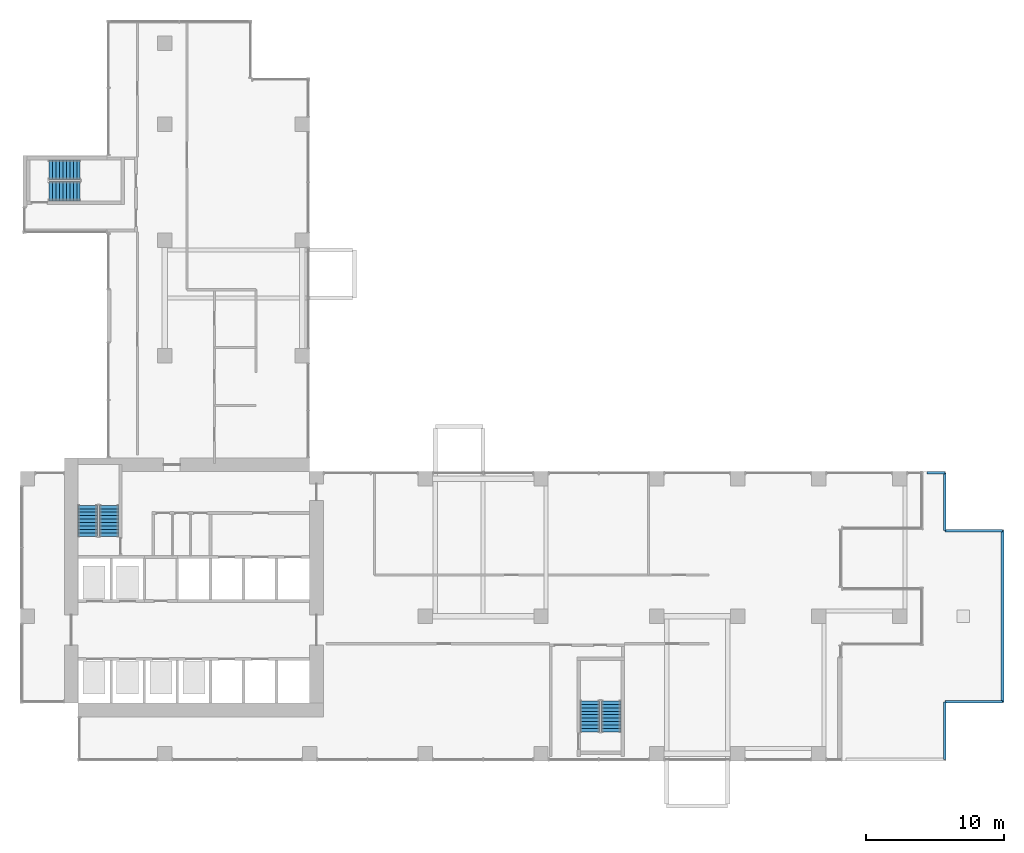
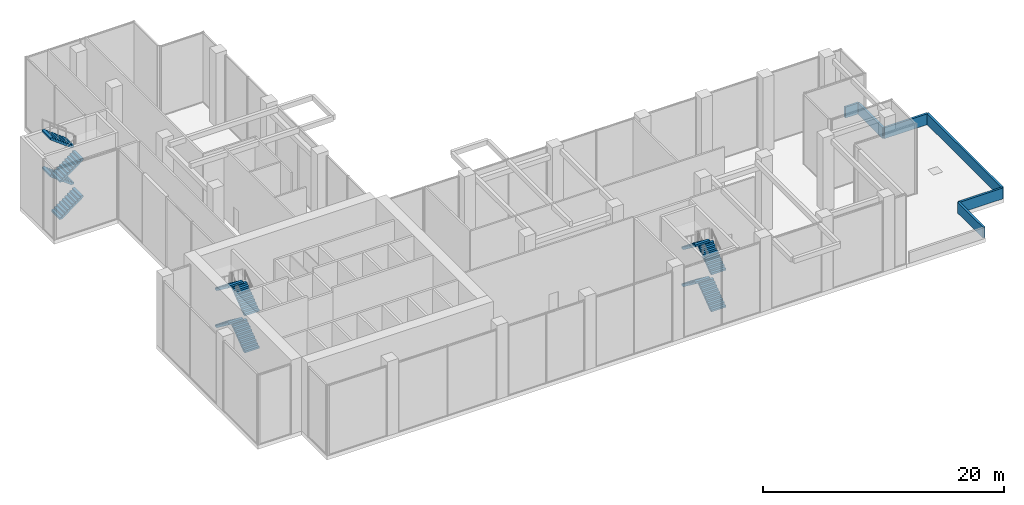
# One storey, part 14 of 18: 12 stair flights, 6 walls, 3 elements without a shape of their own.
"""IFC4 building model written with IfcOpenShell, lengths in metres."""

from ifc_helpers import new_model, si_unit, direction, frame, frame_2d, origin, place, context, subcontext, project, spatial, polyline, rectangle, outline, extrude, source, transform, mapped, material, layer, layer_set, type_object, element, aggregate, save


model = new_model("IFC4")

# Units and contexts
model_context = context("Model", 3, precision=1e-05, world=origin(), true_north=direction((0.0, 1.0)))
body_context = subcontext(model_context, "Body", "Model", "MODEL_VIEW")
ifc_project = project(units=[si_unit("LENGTHUNIT", "METRE"), si_unit("AREAUNIT", "SQUARE_METRE"), si_unit("VOLUMEUNIT", "CUBIC_METRE"), si_unit("PLANEANGLEUNIT", "RADIAN"), si_unit("MASSUNIT", "GRAM", prefix="KILO")], contexts=[model_context])

# Site, building, storey
site_placement = place(None, origin())
site = spatial("IfcSite", under=ifc_project, at=site_placement, CompositionType="ELEMENT")
building_placement = place(site_placement, origin())
building = spatial("IfcBuilding", under=site, at=building_placement, Name="Aurelian Terraces", CompositionType="ELEMENT")
storey_placement = place(building_placement, frame((0.0, 0.0, 170.3)))
storey = spatial("IfcBuildingStorey", under=building, at=storey_placement, Name="L37", CompositionType="ELEMENT", Elevation=170.3)

# Walls
ifc_material_1 = material(Name="Terracotta rainscreen cladding", Category="masonry")
ifc_layer = layer(ifc_material_1, 0.2)
ifc_layer_set = layer_set([ifc_layer], Name="PARAPET-200")
wall_type = type_object("IfcWallType", Name="PARAPET-200", PredefinedType="PARAPET", material=ifc_layer_set)
wall_1_placement = place(storey_placement, frame((71.31, 16.71, 0.0), z_axis=(0.0, 0.0, 1.0), x_axis=(0.0, -1.0, 0.0)))
element("IfcWall", 1, at=wall_1_placement, inside=storey, type_object=wall_type, Name="Parapet L37 L37-X1", PredefinedType="PARAPET", context=body_context, shape_type="SweptSolid", body=[
    extrude(rectangle(XDim=12.42, YDim=0.2, at=frame_2d((6.21, 0.0))), origin(), (0.0, 0.0, 1.0), 1.1),
])
shared_shape_1 = source(origin(), body_context, "Body", "SweptSolid", [
    extrude(rectangle(XDim=4.2, YDim=0.2, at=frame_2d((2.1, 0.0))), origin(), (0.0, 0.0, 1.0), 1.1),
])
for number, where, z_axis, x_axis, name in (
    (2, (67.11, 20.91, 0.0), (0.0, 0.0, 1.0), (0.0, -1.0, 0.0), "Parapet L37 L37-X1"),
    (3, (67.11, 16.71, 0.0), (0.0, 0.0, 1.0), (1.0, 0.0, 0.0), "Parapet L37 L37-X1"),
    (4, (71.31, 4.29, 0.0), (0.0, 0.0, 1.0), (-1.0, 0.0, 0.0), "Parapet L37 L37-X1"),
    (5, (67.11, 4.29, 0.0), (0.0, 0.0, 1.0), (0.0, -1.0, 0.0), "Parapet L37 L37-X1"),
):
    element("IfcWall", number, at=place(storey_placement, frame(where, z_axis=z_axis, x_axis=x_axis)), inside=storey, type_object=wall_type, Name=name, PredefinedType="PARAPET", context=body_context, shape_type="MappedRepresentation", body=[
        mapped(shared_shape_1, transform((0.0, 0.0, 0.0), scale=1.0)),
    ])
shared_shape_2 = source(origin(), body_context, "Body", "SweptSolid", [
    extrude(rectangle(XDim=1.29, YDim=0.2, at=frame_2d((0.645, 0.0))), origin(), (0.0, 0.0, 1.0), 1.1),
])
wall_2_placement = place(storey_placement, frame((65.82, 20.91, 0.0), z_axis=(0.0, 0.0, 1.0), x_axis=(1.0, 0.0, 0.0)))
element("IfcWall", 6, at=wall_2_placement, inside=storey, type_object=wall_type, Name="Parapet L37 L37-X1", PredefinedType="PARAPET", context=body_context, shape_type="MappedRepresentation", body=[
    mapped(shared_shape_2, transform((0.0, 0.0, 0.0), scale=1.0)),
])

# Stair, stair flights
ifc_material_2 = material(Name="Concrete fc' 40 MPa", Category="concrete")
stair_type = type_object("IfcStairType", Name="Stair 1400", PredefinedType="HALF_TURN_STAIR", material=ifc_material_2)
stair_1_placement = place(storey_placement, origin())
stair_1 = element("IfcStair", 7, at=stair_1_placement, inside=storey, type_object=stair_type, Name="L37 S1", PredefinedType="HALF_TURN_STAIR")
stair_flight_type = type_object("IfcStairFlightType", Name="Stair flight 1400", PredefinedType="STRAIGHT", material=ifc_material_2)
shared_shape_3 = source(origin(), body_context, "Body", "SweptSolid", [
    extrude(outline(polyline([(0.0, 0.0), (0.0, 0.1875), (0.25, 0.1875), (0.25, 0.375), (0.5, 0.375), (0.5, 0.5625), (0.75, 0.5625), (0.75, 0.75), (1.0, 0.75), (1.0, 0.9375), (1.25, 0.9375), (1.25, 1.125), (1.5, 1.125), (1.5, 1.3125), (1.75, 1.3125), (1.75, 1.5), (2.0, 1.5), (2.0, 1.6875), (2.25, 1.6875), (2.25, 1.875), (2.25, 1.5), (0.25, 0.0), (0.0, 0.0)])), frame((0.0, 0.7, 0.0), z_axis=(0.0, -1.0, 0.0), x_axis=(1.0, 0.0, 0.0)), (0.0, 0.0, 1.0), 1.4),
])
stair_flight_1_placement = place(storey_placement, frame((6.45, 16.3, 2e-08), z_axis=(0.0, 0.0, 1.0), x_axis=(0.0, 1.0, 0.0)))
stair_flight_1 = element("IfcStairFlight", 8, at=stair_flight_1_placement, type_object=stair_flight_type, Name="S1 flight 1", NumberOfRisers=10, NumberOfTreads=9, PredefinedType="STRAIGHT", RiserHeight=0.1875, TreadLength=0.25, context=body_context, shape_type="MappedRepresentation", body=[
    mapped(shared_shape_3, transform((0.0, 0.0, 0.0), scale=1.0)),
])
stair_flight_2_placement = place(storey_placement, frame((4.9, 18.55, 1.87500002), z_axis=(0.0, 0.0, 1.0), x_axis=(0.0, -1.0, 0.0)))
stair_flight_2 = element("IfcStairFlight", 9, at=stair_flight_2_placement, type_object=stair_flight_type, Name="S1 flight 2", NumberOfRisers=10, NumberOfTreads=9, PredefinedType="STRAIGHT", RiserHeight=0.1875, TreadLength=0.25, context=body_context, shape_type="MappedRepresentation", body=[
    mapped(shared_shape_3, transform((0.0, 0.0, 0.0), scale=1.0)),
])
stair_flight_3_placement = place(storey_placement, frame((6.45, 16.3, 3.75000002), z_axis=(0.0, 0.0, 1.0), x_axis=(0.0, 1.0, 0.0)))
stair_flight_3 = element("IfcStairFlight", 10, at=stair_flight_3_placement, type_object=stair_flight_type, Name="S1 flight 3", NumberOfRisers=10, NumberOfTreads=9, PredefinedType="STRAIGHT", RiserHeight=0.1875, TreadLength=0.25, context=body_context, shape_type="MappedRepresentation", body=[
    mapped(shared_shape_3, transform((0.0, 0.0, 0.0), scale=1.0)),
])
stair_flight_4_placement = place(storey_placement, frame((4.9, 18.55, 5.62500002), z_axis=(0.0, 0.0, 1.0), x_axis=(0.0, -1.0, 0.0)))
stair_flight_4 = element("IfcStairFlight", 11, at=stair_flight_4_placement, type_object=stair_flight_type, Name="S1 flight 4", NumberOfRisers=10, NumberOfTreads=9, PredefinedType="STRAIGHT", RiserHeight=0.1875, TreadLength=0.25, context=body_context, shape_type="MappedRepresentation", body=[
    mapped(shared_shape_3, transform((0.0, 0.0, 0.0), scale=1.0)),
])
aggregate(stair_1, [stair_flight_1, stair_flight_2, stair_flight_3, stair_flight_4])

stair_2_placement = place(storey_placement, origin())
stair_2 = element("IfcStair", 12, at=stair_2_placement, inside=storey, type_object=stair_type, Name="L37 S2", PredefinedType="HALF_TURN_STAIR")
stair_flight_5_placement = place(storey_placement, frame((42.9, 2.1, 2e-08), z_axis=(0.0, 0.0, 1.0), x_axis=(0.0, 1.0, 0.0)))
stair_flight_5 = element("IfcStairFlight", 13, at=stair_flight_5_placement, type_object=stair_flight_type, Name="S2 flight 1", NumberOfRisers=10, NumberOfTreads=9, PredefinedType="STRAIGHT", RiserHeight=0.1875, TreadLength=0.25, context=body_context, shape_type="MappedRepresentation", body=[
    mapped(shared_shape_3, transform((0.0, 0.0, 0.0), scale=1.0)),
])
stair_flight_6_placement = place(storey_placement, frame((41.35, 4.35, 1.87500002), z_axis=(0.0, 0.0, 1.0), x_axis=(0.0, -1.0, 0.0)))
stair_flight_6 = element("IfcStairFlight", 14, at=stair_flight_6_placement, type_object=stair_flight_type, Name="S2 flight 2", NumberOfRisers=10, NumberOfTreads=9, PredefinedType="STRAIGHT", RiserHeight=0.1875, TreadLength=0.25, context=body_context, shape_type="MappedRepresentation", body=[
    mapped(shared_shape_3, transform((0.0, 0.0, 0.0), scale=1.0)),
])
stair_flight_7_placement = place(storey_placement, frame((42.9, 2.1, 3.75000002), z_axis=(0.0, 0.0, 1.0), x_axis=(0.0, 1.0, 0.0)))
stair_flight_7 = element("IfcStairFlight", 15, at=stair_flight_7_placement, type_object=stair_flight_type, Name="S2 flight 3", NumberOfRisers=10, NumberOfTreads=9, PredefinedType="STRAIGHT", RiserHeight=0.1875, TreadLength=0.25, context=body_context, shape_type="MappedRepresentation", body=[
    mapped(shared_shape_3, transform((0.0, 0.0, 0.0), scale=1.0)),
])
stair_flight_8_placement = place(storey_placement, frame((41.35, 4.35, 5.62500002), z_axis=(0.0, 0.0, 1.0), x_axis=(0.0, -1.0, 0.0)))
stair_flight_8 = element("IfcStairFlight", 16, at=stair_flight_8_placement, type_object=stair_flight_type, Name="S2 flight 4", NumberOfRisers=10, NumberOfTreads=9, PredefinedType="STRAIGHT", RiserHeight=0.1875, TreadLength=0.25, context=body_context, shape_type="MappedRepresentation", body=[
    mapped(shared_shape_3, transform((0.0, 0.0, 0.0), scale=1.0)),
])
aggregate(stair_2, [stair_flight_5, stair_flight_6, stair_flight_7, stair_flight_8])

stair_3_placement = place(storey_placement, origin())
stair_3 = element("IfcStair", 17, at=stair_3_placement, inside=storey, type_object=stair_type, Name="L37 S3", PredefinedType="HALF_TURN_STAIR")
stair_flight_9_placement = place(storey_placement, frame((2.1, 41.35, 2e-08), z_axis=(0.0, 0.0, 1.0), x_axis=(1.0, 0.0, 0.0)))
stair_flight_9 = element("IfcStairFlight", 18, at=stair_flight_9_placement, type_object=stair_flight_type, Name="S3 flight 1", NumberOfRisers=10, NumberOfTreads=9, PredefinedType="STRAIGHT", RiserHeight=0.1875, TreadLength=0.25, context=body_context, shape_type="MappedRepresentation", body=[
    mapped(shared_shape_3, transform((0.0, 0.0, 0.0), scale=1.0)),
])
stair_flight_10_placement = place(storey_placement, frame((4.35, 42.9, 1.87500002), z_axis=(0.0, 0.0, 1.0), x_axis=(-1.0, 0.0, 0.0)))
stair_flight_10 = element("IfcStairFlight", 19, at=stair_flight_10_placement, type_object=stair_flight_type, Name="S3 flight 2", NumberOfRisers=10, NumberOfTreads=9, PredefinedType="STRAIGHT", RiserHeight=0.1875, TreadLength=0.25, context=body_context, shape_type="MappedRepresentation", body=[
    mapped(shared_shape_3, transform((0.0, 0.0, 0.0), scale=1.0)),
])
stair_flight_11_placement = place(storey_placement, frame((2.1, 41.35, 3.75000002), z_axis=(0.0, 0.0, 1.0), x_axis=(1.0, 0.0, 0.0)))
stair_flight_11 = element("IfcStairFlight", 20, at=stair_flight_11_placement, type_object=stair_flight_type, Name="S3 flight 3", NumberOfRisers=10, NumberOfTreads=9, PredefinedType="STRAIGHT", RiserHeight=0.1875, TreadLength=0.25, context=body_context, shape_type="MappedRepresentation", body=[
    mapped(shared_shape_3, transform((0.0, 0.0, 0.0), scale=1.0)),
])
stair_flight_12_placement = place(storey_placement, frame((4.35, 42.9, 5.62500002), z_axis=(0.0, 0.0, 1.0), x_axis=(-1.0, 0.0, 0.0)))
stair_flight_12 = element("IfcStairFlight", 21, at=stair_flight_12_placement, type_object=stair_flight_type, Name="S3 flight 4", NumberOfRisers=10, NumberOfTreads=9, PredefinedType="STRAIGHT", RiserHeight=0.1875, TreadLength=0.25, context=body_context, shape_type="MappedRepresentation", body=[
    mapped(shared_shape_3, transform((0.0, 0.0, 0.0), scale=1.0)),
])
aggregate(stair_3, [stair_flight_9, stair_flight_10, stair_flight_11, stair_flight_12])

save(model, "model.ifc")
